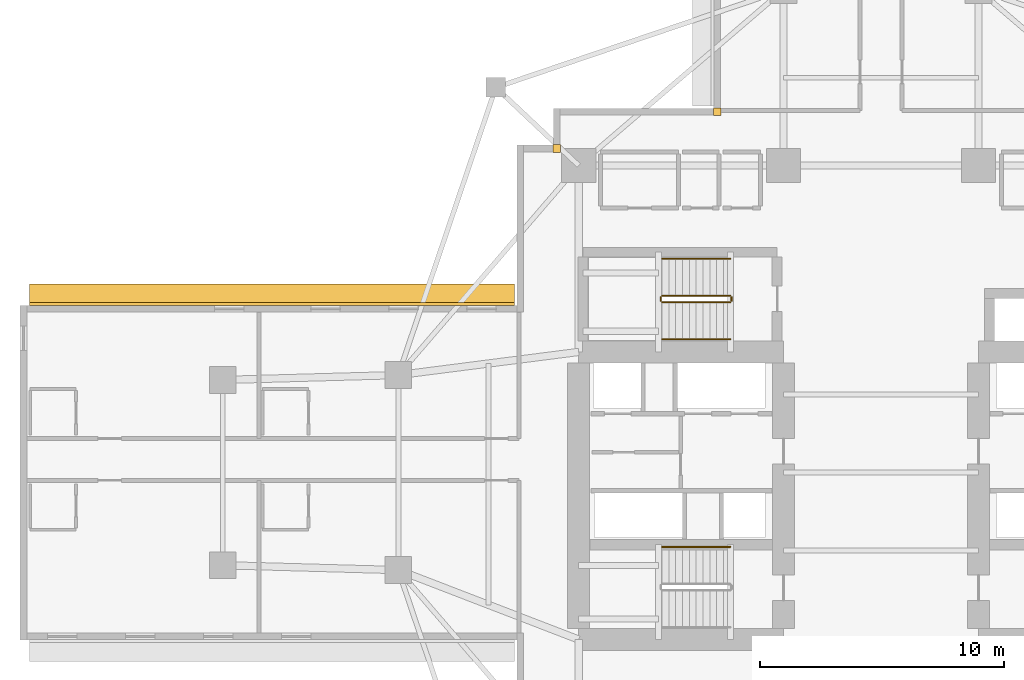
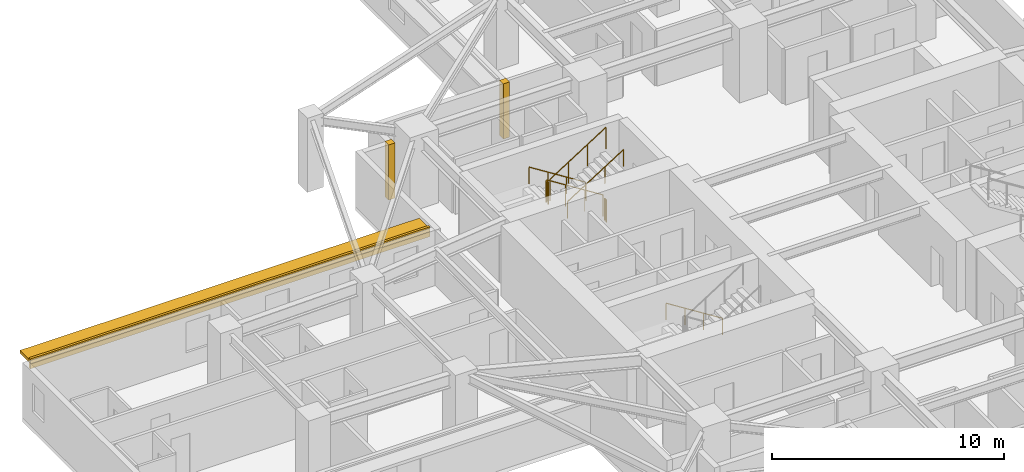
# One storey, part 12 of 13: 7 railings, 3 coverings, 1 shading device.
"""IFC4 building model written with IfcOpenShell, lengths in metres."""

from ifc_helpers import new_model, si_unit, direction, frame, origin, origin_2d, place, context, subcontext, project, spatial, rectangle, circle, extrude, material, layer, layer_set, type_object, element, save


model = new_model("IFC4")

# Units and contexts
model_context = context("Model", 3, precision=1e-05, world=origin(), true_north=direction((0.0, 1.0)))
body_context = subcontext(model_context, "Body", "Model", "MODEL_VIEW")
ifc_project = project(units=[si_unit("LENGTHUNIT", "METRE"), si_unit("AREAUNIT", "SQUARE_METRE"), si_unit("VOLUMEUNIT", "CUBIC_METRE"), si_unit("PLANEANGLEUNIT", "RADIAN"), si_unit("MASSUNIT", "GRAM", prefix="KILO")], contexts=[model_context])

# Site, building, storey
site_placement = place(None, origin())
site = spatial("IfcSite", under=ifc_project, at=site_placement, CompositionType="ELEMENT")
building_placement = place(site_placement, origin())
building = spatial("IfcBuilding", under=site, at=building_placement, Name="Qingluan Cross Belvedere", CompositionType="ELEMENT")
storey_placement = place(building_placement, frame((0.0, 0.0, 63.89990234375)))
storey = spatial("IfcBuildingStorey", under=building, at=storey_placement, Name="L16", CompositionType="ELEMENT", Elevation=63.89990234375)

# Coverings
ifc_material_1 = material(Name="Precast concrete C45", Category="concrete")
ifc_layer_1 = layer(ifc_material_1, 0.1201171875, Name="ConcreteSpandrelCladding_120")
ifc_layer_set_1 = layer_set([ifc_layer_1], Name="Precast concrete C45")
covering_type = type_object("IfcCoveringType", Name="ConcreteSpandrelCladding_120", PredefinedType="CLADDING", material=ifc_layer_set_1)
covering_placement = place(storey_placement, frame((-24.989990234375, 6.909912109375, 2.4501953125), z_axis=(0.0, 0.0, 1.0), x_axis=(-1.0, 0.0, 0.0)))
element("IfcCovering", 1, at=covering_placement, inside=storey, type_object=covering_type, Name="Spandrel cladding L16-WA", PredefinedType="CLADDING", context=body_context, shape_type="SweptSolid", body=[
    extrude(rectangle(XDim=19.89990234375, YDim=0.1201171875, at=origin_2d()), origin(), (0.0, 0.0, 1.0), 0.52001953125),
])
for number, where, z_axis, x_axis, name in (
    (2, (-13.300048828125, 13.300048828125, 0.0), (0.0, 0.0, 1.0), (1.0, 0.0, 0.0), "Corner closure L16-NW1"),
    (3, (-6.719970703125, 14.800048828125, 0.0), (0.0, 0.0, 1.0), (1.0, 0.0, 0.0), "Corner closure L16-NW2"),
):
    element("IfcCovering", number, at=place(storey_placement, frame(where, z_axis=z_axis, x_axis=x_axis)), inside=storey, type_object=covering_type, Name=name, PredefinedType="CLADDING", context=body_context, shape_type="SweptSolid", body=[
        extrude(rectangle(XDim=0.320068359375, YDim=0.320068359375, at=origin_2d()), origin(), (0.0, 0.0, 1.0), 2.909912109375),
    ])

# Shading device
ifc_material_2 = material(Name="Precast concrete C45", Category="concrete")
ifc_layer_2 = layer(ifc_material_2, 0.159912109375, Name="ConcreteSunshadeBand_900")
ifc_layer_set_2 = layer_set([ifc_layer_2], Name="Precast concrete C45")
shading_device_type = type_object("IfcShadingDeviceType", Name="ConcreteSunshadeBand_900", PredefinedType="USERDEFINED", material=ifc_layer_set_2)
shading_device_placement = place(storey_placement, frame((-24.989990234375, 7.2900390625, 2.72998046875), z_axis=(0.0, 0.0, 1.0), x_axis=(-1.0, 0.0, 0.0)))
element("IfcShadingDevice", 4, at=shading_device_placement, inside=storey, type_object=shading_device_type, Name="Concrete SUNSHADE L16-WA", ObjectType="SUNSHADE", PredefinedType="USERDEFINED", context=body_context, shape_type="SweptSolid", body=[
    extrude(rectangle(XDim=19.89990234375, YDim=0.89990234375, at=origin_2d()), origin(), (0.0, 0.0, 1.0), 0.159912109375),
])

# Railings
ifc_material_3 = material(Name="Brushed stainless steel tubular handrail", Category="steel")
railing_type_1 = type_object("IfcRailingType", Name="StairPitchHandrail_900", PredefinedType="HANDRAIL", material=ifc_material_3)
for number, where, name in (
    (5, (-6.179931640625, -3.050048828125, 0.177490234375), "L16 ST1 stair handrail 1"),
    (6, (-6.179931640625, 8.77001953125, 0.177490234375), "L16 ST3 stair handrail 1"),
):
    element("IfcRailing", number, at=place(storey_placement, frame(where)), inside=storey, type_object=railing_type_1, Name=name, PredefinedType="HANDRAIL", context=body_context, shape_type="SweptSolid", body=[
        extrude(circle(Radius=0.02392578125, at=origin_2d()), frame((0.0, 0.0, 0.8759765625), z_axis=(-0.844908973607, 0.0, 0.534910110503), x_axis=(0.0, -1.0, 0.0)), (0.0, 0.0, 1.0), 3.31396484375),
        extrude(circle(Radius=0.02099609375, at=origin_2d()), origin(), (0.0, 0.0, 1.0), 0.851806640625),
        extrude(circle(Radius=0.02099609375, at=origin_2d()), frame((-0.933349609375, 0.0, 0.5908203125)), (0.0, 0.0, 1.0), 0.851806640625),
        extrude(circle(Radius=0.02099609375, at=origin_2d()), frame((-1.86669921875, 0.0, 1.181884765625)), (0.0, 0.0, 1.0), 0.851806640625),
        extrude(circle(Radius=0.02099609375, at=origin_2d()), frame((-2.800048828125, 0.0, 1.772705078125)), (0.0, 0.0, 1.0), 0.851806640625),
    ])
railing_1_placement = place(storey_placement, frame((-8.97998046875, 5.469970703125, 2.12744140625)))
element("IfcRailing", 7, at=railing_1_placement, inside=storey, type_object=railing_type_1, Name="L16 ST3 stair handrail 2", PredefinedType="HANDRAIL", context=body_context, shape_type="SweptSolid", body=[
    extrude(circle(Radius=0.02392578125, at=origin_2d()), frame((0.0, 0.0, 0.8759765625), z_axis=(0.844908973607, 0.0, 0.534910110503), x_axis=(0.0, 1.0, 0.0)), (0.0, 0.0, 1.0), 3.31396484375),
    extrude(circle(Radius=0.02099609375, at=origin_2d()), origin(), (0.0, 0.0, 1.0), 0.851806640625),
    extrude(circle(Radius=0.02099609375, at=origin_2d()), frame((0.933349609375, 0.0, 0.5908203125)), (0.0, 0.0, 1.0), 0.851806640625),
    extrude(circle(Radius=0.02099609375, at=origin_2d()), frame((1.86669921875, 0.0, 1.181884765625)), (0.0, 0.0, 1.0), 0.851806640625),
    extrude(circle(Radius=0.02099609375, at=origin_2d()), frame((2.800048828125, 0.0, 1.772705078125)), (0.0, 0.0, 1.0), 0.851806640625),
])
ifc_material_4 = material(Name="Painted steel stair well guard", Category="steel")
railing_type_2 = type_object("IfcRailingType", Name="StairWellGuard_1150", PredefinedType="BALUSTRADE", material=ifc_material_4)
railing_2_placement = place(storey_placement, frame((-6.179931640625, 7.25, 0.177490234375)))
element("IfcRailing", 8, at=railing_2_placement, inside=storey, type_object=railing_type_2, Name="L16 ST3 stair guard 1", PredefinedType="BALUSTRADE", context=body_context, shape_type="SweptSolid", body=[
    extrude(circle(Radius=0.02392578125, at=origin_2d()), frame((0.0, 0.0, 1.1259765625), z_axis=(-0.844908973607, 0.0, 0.534910110503), x_axis=(0.0, -1.0, 0.0)), (0.0, 0.0, 1.0), 3.31396484375),
    extrude(circle(Radius=0.02099609375, at=origin_2d()), origin(), (0.0, 0.0, 1.0), 1.101806640625),
    extrude(circle(Radius=0.02099609375, at=origin_2d()), frame((-0.933349609375, 0.0, 0.5908203125)), (0.0, 0.0, 1.0), 1.101806640625),
    extrude(circle(Radius=0.02099609375, at=origin_2d()), frame((-1.86669921875, 0.0, 1.181884765625)), (0.0, 0.0, 1.0), 1.101806640625),
    extrude(circle(Radius=0.02099609375, at=origin_2d()), frame((-2.800048828125, 0.0, 1.772705078125)), (0.0, 0.0, 1.0), 1.101806640625),
])
railing_3_placement = place(storey_placement, frame((-9.030029296875, 7.199951171875, 1.9501953125)))
element("IfcRailing", 9, at=railing_3_placement, inside=storey, type_object=railing_type_2, Name="L16 ST3 stair guard 2", PredefinedType="BALUSTRADE", context=body_context, shape_type="SweptSolid", body=[
    extrude(circle(Radius=0.02392578125, at=origin_2d()), frame((0.0, 0.0, 1.1259765625), z_axis=(0.0, -1.0, 0.0), x_axis=(1.0, 0.0, 0.0)), (0.0, 0.0, 1.0), 0.159912109375),
    extrude(circle(Radius=0.02099609375, at=origin_2d()), origin(), (0.0, 0.0, 1.0), 1.101806640625),
    extrude(circle(Radius=0.02099609375, at=origin_2d()), frame((0.0, -0.159912109375, 0.0)), (0.0, 0.0, 1.0), 1.101806640625),
])
railing_4_placement = place(storey_placement, frame((-8.97998046875, 6.989990234375, 2.12744140625)))
element("IfcRailing", 10, at=railing_4_placement, inside=storey, type_object=railing_type_2, Name="L16 ST3 stair guard 3", PredefinedType="BALUSTRADE", context=body_context, shape_type="SweptSolid", body=[
    extrude(circle(Radius=0.02392578125, at=origin_2d()), frame((0.0, 0.0, 1.1259765625), z_axis=(0.844908973607, 0.0, 0.534910110503), x_axis=(0.0, 1.0, 0.0)), (0.0, 0.0, 1.0), 3.31396484375),
    extrude(circle(Radius=0.02099609375, at=origin_2d()), origin(), (0.0, 0.0, 1.0), 1.101806640625),
    extrude(circle(Radius=0.02099609375, at=origin_2d()), frame((0.933349609375, 0.0, 0.5908203125)), (0.0, 0.0, 1.0), 1.101806640625),
    extrude(circle(Radius=0.02099609375, at=origin_2d()), frame((1.86669921875, 0.0, 1.181884765625)), (0.0, 0.0, 1.0), 1.101806640625),
    extrude(circle(Radius=0.02099609375, at=origin_2d()), frame((2.800048828125, 0.0, 1.772705078125)), (0.0, 0.0, 1.0), 1.101806640625),
])
railing_5_placement = place(storey_placement, frame((-6.1298828125, 7.199951171875, 0.0)))
element("IfcRailing", 11, at=railing_5_placement, inside=storey, type_object=railing_type_2, Name="L16 ST3 stair guard 4", PredefinedType="BALUSTRADE", context=body_context, shape_type="SweptSolid", body=[
    extrude(circle(Radius=0.02392578125, at=origin_2d()), frame((0.0, 0.0, 1.1259765625), z_axis=(0.0, -1.0, 0.0), x_axis=(1.0, 0.0, 0.0)), (0.0, 0.0, 1.0), 0.159912109375),
    extrude(circle(Radius=0.02099609375, at=origin_2d()), origin(), (0.0, 0.0, 1.0), 1.101806640625),
    extrude(circle(Radius=0.02099609375, at=origin_2d()), frame((0.0, -0.159912109375, 0.0)), (0.0, 0.0, 1.0), 1.101806640625),
])

save(model, "model.ifc")
